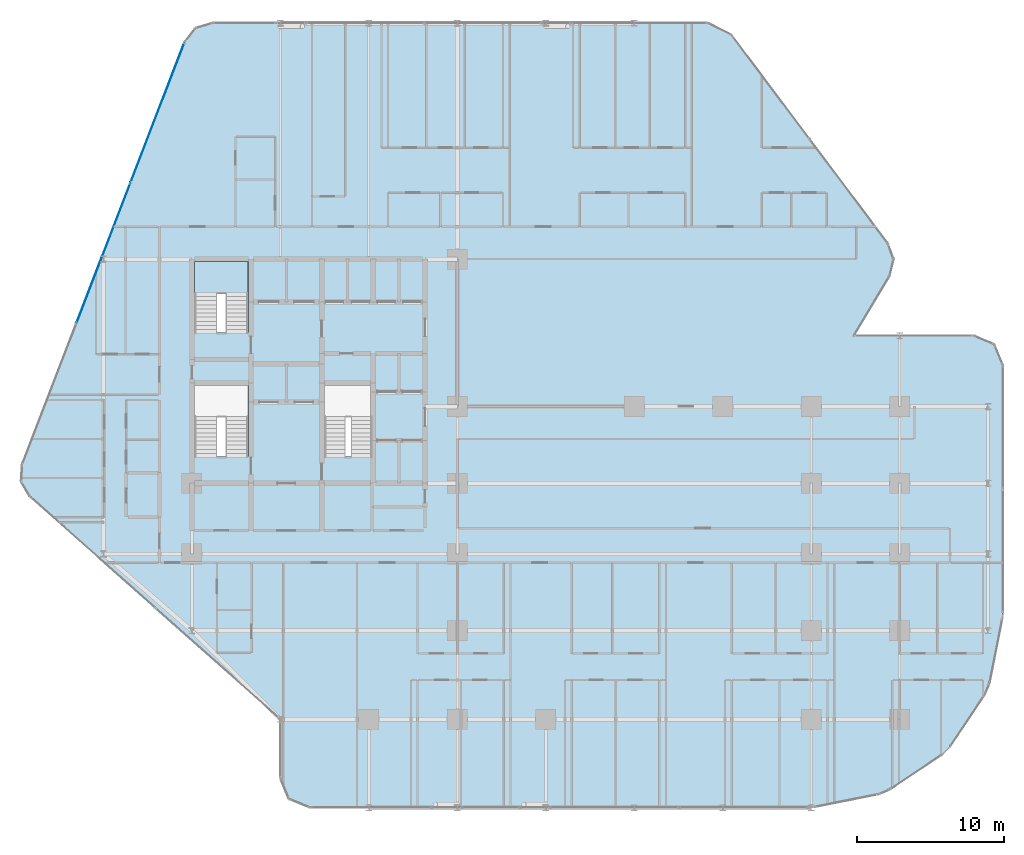
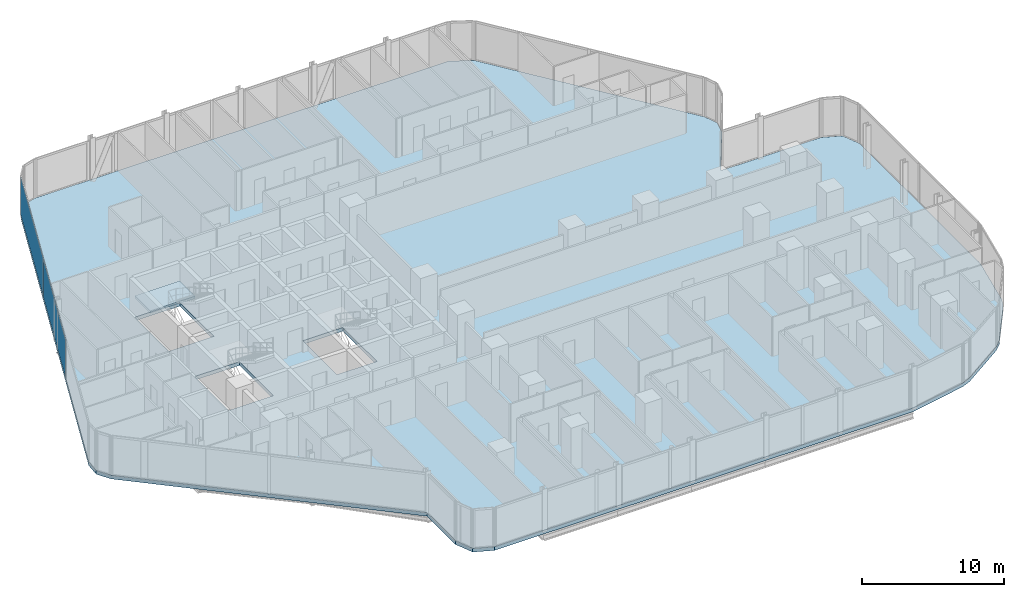
# One storey, part 23 of 33: 2 plates, 2 slabs, 2 elements without a shape of their own.
"""IFC4 building model written with IfcOpenShell, lengths in metres."""

from ifc_helpers import new_model, si_unit, direction, frame, origin, origin_2d, place, context, subcontext, project, spatial, polyline, rectangle, outline, extrude, material, layer, layer_set, type_object, element, aggregate, save


model = new_model("IFC4")

# Units and contexts
model_context = context("Model", 3, precision=1e-05, world=origin(), true_north=direction((0.0, 1.0)))
body_context = subcontext(model_context, "Body", "Model", "MODEL_VIEW")
ifc_project = project(units=[si_unit("LENGTHUNIT", "METRE"), si_unit("AREAUNIT", "SQUARE_METRE"), si_unit("VOLUMEUNIT", "CUBIC_METRE"), si_unit("PLANEANGLEUNIT", "RADIAN"), si_unit("MASSUNIT", "GRAM", prefix="KILO")], contexts=[model_context])

# Site, building, storey
site_placement = place(None, origin())
site = spatial("IfcSite", under=ifc_project, at=site_placement, CompositionType="ELEMENT")
building_placement = place(site_placement, origin())
building = spatial("IfcBuilding", under=site, at=building_placement, Name="Keshet Zoharim Tower", CompositionType="ELEMENT")
storey_placement = place(building_placement, frame((0.0, 0.0, 42.5)))
storey = spatial("IfcBuildingStorey", under=building, at=storey_placement, Name="L09", CompositionType="ELEMENT", Elevation=42.5)

# Curtain wall, plates
ifc_material_1 = material(Name="Aluminium 6063-T6", Category="aluminium")
ifc_layer_1 = layer(ifc_material_1, 0.179931640625)
ifc_layer_set_1 = layer_set([ifc_layer_1], Name="Aluminium 6063-T6")
curtain_wall_type = type_object("IfcCurtainWallType", Name="CW-SYS-01", PredefinedType="NOTDEFINED", material=ifc_layer_set_1)
curtain_wall_placement = place(storey_placement, origin())
curtain_wall = element("IfcCurtainWall", 1, at=curtain_wall_placement, inside=storey, type_object=curtain_wall_type, Name="L09 Unitised Curtain Wall 04", PredefinedType="NOTDEFINED")
ifc_material_2 = material(Name="Insulated Low-E Clear Glass", Category="glass")
ifc_layer_2 = layer(ifc_material_2, 0.035888671875)
ifc_layer_set_2 = layer_set([ifc_layer_2], Name="Insulated Low-E Clear Glass")
plate_type = type_object("IfcPlateType", Name="CWP-01", PredefinedType="CURTAIN_PANEL", material=ifc_layer_set_2)
plate_1_placement = place(storey_placement, frame((9.001953125, 38.305419921875, 0.06982421875), z_axis=(0.0, 0.0, 1.0), x_axis=(0.358990003907, 0.933341404361, 0.0)))
plate_1 = element("IfcPlate", 2, at=plate_1_placement, type_object=plate_type, Name="CW-01 panel 2.1", PredefinedType="CURTAIN_PANEL", context=body_context, shape_type="SweptSolid", body=[
    extrude(rectangle(XDim=10.153076171875, YDim=0.035888671875, at=origin_2d()), origin(), (0.0, 0.0, 1.0), 3.2451171875),
])
plate_2_placement = place(storey_placement, frame((12.665771484375, 47.830810546875, 0.06982421875), z_axis=(0.0, 0.0, 1.0), x_axis=(0.358990003907, 0.933341404361, 0.0)))
plate_2 = element("IfcPlate", 3, at=plate_2_placement, type_object=plate_type, Name="CW-01 panel 3.1", PredefinedType="CURTAIN_PANEL", context=body_context, shape_type="SweptSolid", body=[
    extrude(rectangle(XDim=10.1181640625, YDim=0.035888671875, at=origin_2d()), origin(), (0.0, 0.0, 1.0), 3.2451171875),
])
aggregate(curtain_wall, [plate_1, plate_2])

# Stair, slab
ifc_material_3 = material(Name="Concrete C50/60", Category="concrete")
stair_type = type_object("IfcStairType", Name="STR-EXIT-135", PredefinedType="HALF_TURN_STAIR", material=ifc_material_3)
stair_placement = place(storey_placement, origin())
stair = element("IfcStair", 4, at=stair_placement, inside=storey, type_object=stair_type, Name="L09 Enclosed Exit Stair ST-02", PredefinedType="HALF_TURN_STAIR")
ifc_layer_3 = layer(ifc_material_3, 0.199951171875)
ifc_layer_set_3 = layer_set([ifc_layer_3], Name="Concrete C50/60")
slab_type_1 = type_object("IfcSlabType", Name="SLB-LND-200", PredefinedType="LANDING", material=ifc_layer_set_3)
slab_1_placement = place(storey_placement, frame((0.0, 0.0, 1.64990234375)))
slab_1 = element("IfcSlab", 5, at=slab_1_placement, type_object=slab_type_1, Name="ST-02 landing 1", PredefinedType="LANDING", context=body_context, shape_type="SweptSolid", body=[
    extrude(outline(polyline([(15.179931640625, 35.56005859375), (18.820068359375, 35.56005859375), (18.820068359375, 37.719970703125), (15.179931640625, 37.719970703125), (15.179931640625, 35.56005859375)])), origin(), (0.0, 0.0, 1.0), 0.2001953125),
])
aggregate(stair, [slab_1])

# Slab
ifc_layer_4 = layer(ifc_material_3, 0.31494140625)
ifc_layer_set_4 = layer_set([ifc_layer_4], Name="Concrete C50/60")
slab_type_2 = type_object("IfcSlabType", Name="SLB-LOW-260", PredefinedType="FLOOR", material=ifc_layer_set_4)
slab_2_placement = place(storey_placement, frame((0.0, 0.0, -0.31494140625)))
element("IfcSlab", 6, at=slab_2_placement, inside=storey, type_object=slab_type_2, Name="L09 Structural Floor Slab 1", PredefinedType="FLOOR", context=body_context, shape_type="SweptSolid", body=[
    extrude(outline(polyline([(21.0, 6.699951171875), (4.034912109375, 21.780029296875), (3.419921875, 22.802001953125), (3.4970703125, 23.992919921875), (14.507080078125, 52.617919921875), (15.240966796875, 53.549072265625), (16.3740234375, 53.89990234375), (50.0, 53.89990234375), (51.60009765625, 53.10009765625), (62.193115234375, 38.97607421875), (62.590087890625, 37.87890625), (62.30810546875, 36.7470703125), (59.8798828125, 32.699951171875), (68.0, 32.699951171875), (69.4140625, 32.114013671875), (70.0, 30.699951171875), (70.0, 13.89697265625), (69.9619140625, 13.507080078125), (69.087890625, 9.114990234375), (68.7890625, 8.39404296875), (66.4130859375, 4.837890625), (65.862060546875, 4.287109375), (62.305908203125, 1.910888671875), (61.5849609375, 1.612060546875), (57.193115234375, 0.738037109375), (56.802978515625, 0.699951171875), (23.0, 0.699951171875), (21.5859375, 1.285888671875), (21.0, 2.699951171875), (21.0, 6.699951171875)]), holes=[polyline([(15.179931640625, 24.52001953125), (18.820068359375, 24.52001953125), (18.820068359375, 29.320068359375), (15.179931640625, 29.320068359375), (15.179931640625, 24.52001953125)]), polyline([(15.179931640625, 32.919921875), (18.820068359375, 32.919921875), (18.820068359375, 37.719970703125), (15.179931640625, 37.719970703125), (15.179931640625, 32.919921875)]), polyline([(23.97998046875, 24.52001953125), (27.219970703125, 24.52001953125), (27.219970703125, 29.320068359375), (23.97998046875, 29.320068359375), (23.97998046875, 24.52001953125)])]), origin(), (0.0, 0.0, 1.0), 0.31494140625),
])

save(model, "model.ifc")
